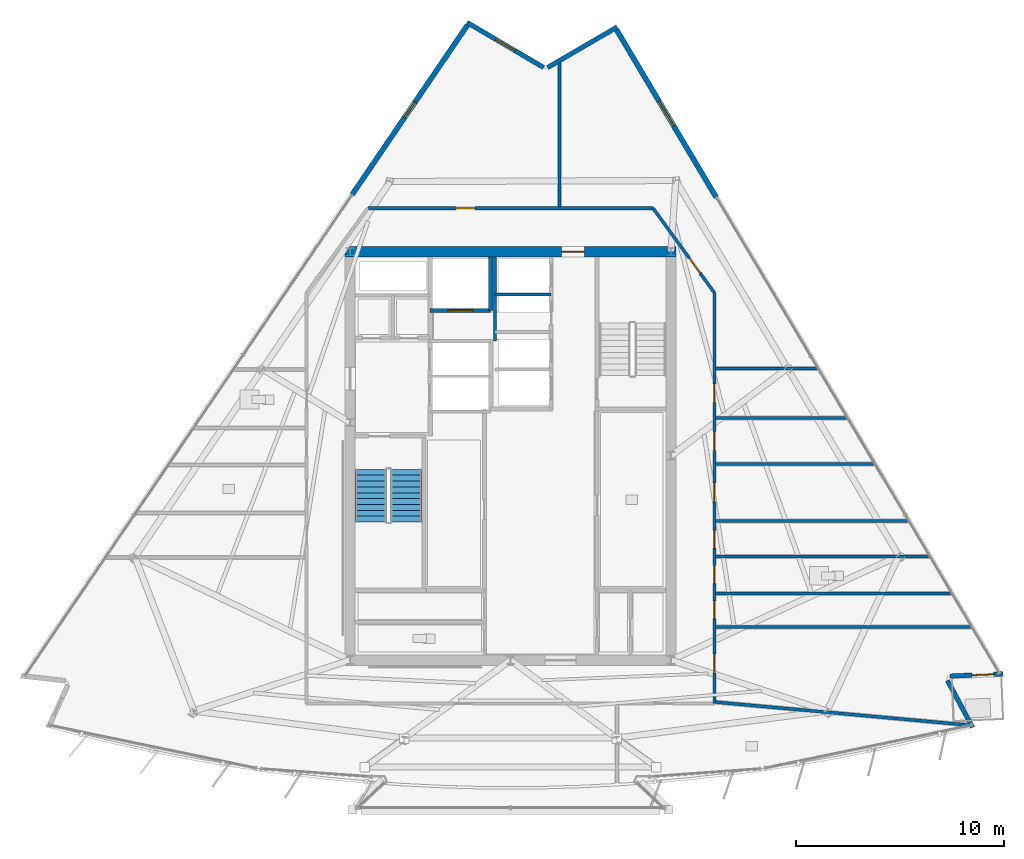
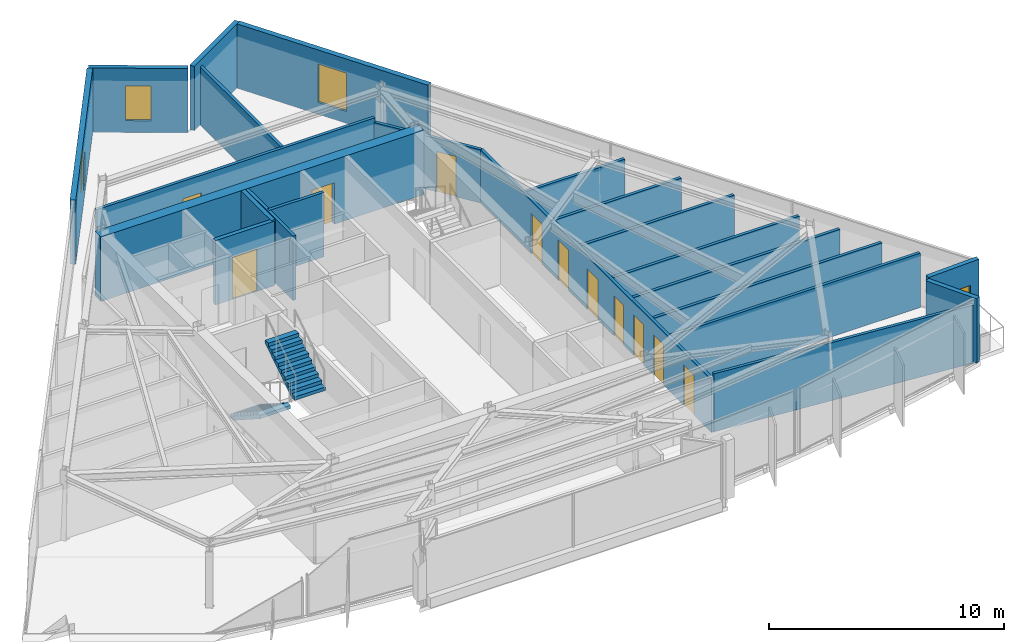
# One storey, part 8 of 13: 23 walls, 12 doors, 3 windows, 2 stair flights, 15 openings, 1 element without a shape of its own.
"""IFC4 building model written with IfcOpenShell, lengths in metres."""

from ifc_helpers import new_model, si_unit, direction, frame, frame_2d, origin, place, context, subcontext, project, spatial, polyline, rectangle, outline, extrude, material, layer, layer_set, type_object, element, fill, aggregate, save


model = new_model("IFC4")

# Units and contexts
model_context = context("Model", 3, precision=1e-05, world=origin(), true_north=direction((0.0, 1.0)))
body_context = subcontext(model_context, "Body", "Model", "MODEL_VIEW")
ifc_project = project(units=[si_unit("LENGTHUNIT", "METRE"), si_unit("AREAUNIT", "SQUARE_METRE"), si_unit("VOLUMEUNIT", "CUBIC_METRE"), si_unit("PLANEANGLEUNIT", "RADIAN"), si_unit("MASSUNIT", "GRAM", prefix="KILO")], contexts=[model_context])

# Site, building, storey
site_placement = place(None, origin())
site = spatial("IfcSite", under=ifc_project, at=site_placement, CompositionType="ELEMENT")
building_placement = place(site_placement, origin())
building = spatial("IfcBuilding", under=site, at=building_placement, Name="Savorim Split Tower", CompositionType="ELEMENT")
storey_placement = place(building_placement, frame((0.0, 0.0, 283.199951171875)))
storey = spatial("IfcBuildingStorey", under=building, at=storey_placement, Name="L75", CompositionType="ELEMENT", Elevation=283.199951171875)

# Wall, opening, door
ifc_material_1 = material(Name="Concrete C60/75", Category="concrete")
ifc_layer_1 = layer(ifc_material_1, 0.5)
ifc_layer_set_1 = layer_set([ifc_layer_1], Name="WAL-COR-SH500")
wall_type_1 = type_object("IfcWallType", Name="WAL-COR-SH500", PredefinedType="SHEAR", material=ifc_layer_set_1)
wall_1_placement = place(storey_placement, frame((7.949951171875, 10.199951171875, 0.0), z_axis=(0.0, 0.0, 1.0), x_axis=(-1.0, 0.0, 0.0)))
wall_1 = element("IfcWall", 1, at=wall_1_placement, inside=storey, type_object=wall_type_1, Name="L75 Offset Core North Shear Wall", PredefinedType="SHEAR", context=body_context, shape_type="SweptSolid", body=[
    extrude(rectangle(XDim=15.89990234375, YDim=0.5, at=frame_2d((7.949951171875, 0.0))), origin(), (0.0, 0.0, 1.0), 3.35009765625),
])
opening_1_placement = place(wall_1_placement, frame((4.39990234375, 0.0, 0.0)))
opening_1 = element("IfcOpeningElement", 2, at=opening_1_placement, cuts=wall_1, Name="Opening DI-03", PredefinedType="OPENING", context=body_context, shape_type="SweptSolid", body=[
    extrude(rectangle(XDim=1.10009765625, YDim=2.14990234375, at=frame_2d((0.550048828125, 1.074951171875))), frame((0.0, 0.260009765625, 0.0), z_axis=(0.0, -1.0, 0.0), x_axis=(1.0, 0.0, 0.0)), (0.0, 0.0, 1.0), 0.52001953125),
])
ifc_material_2 = material(Name="Timber Fire Door Leaf", Category="wood")
door_type_1 = type_object("IfcDoorType", Name="DOR-FIR-1100", OperationType="NOTDEFINED", PredefinedType="DOOR", material=ifc_material_2)
door_1_placement = place(opening_1_placement, origin())
door_1 = element("IfcDoor", 3, at=door_1_placement, inside=storey, type_object=door_type_1, Name="DOR-L75-COR-NLOB - L75 North Corridor Lobby Fire Door", OperationType="SINGLE_SWING_RIGHT", OverallHeight=2.14990234375, OverallWidth=1.10009765625, PredefinedType="DOOR", context=body_context, shape_type="SweptSolid", body=[
    extrude(rectangle(XDim=1.10009765625, YDim=2.14990234375, at=frame_2d((0.550048828125, 1.074951171875))), frame((0.0, 0.02490234375, 0.0), z_axis=(0.0, -1.0, 0.0), x_axis=(1.0, 0.0, 0.0)), (0.0, 0.0, 1.0), 0.050048828125),
])
fill(opening_1, door_1)

# Wall
ifc_material_3 = material(Name="Precast concrete C40/50", Category="concrete")
ifc_layer_2 = layer(ifc_material_3, 0.219970703125)
ifc_layer_set_2 = layer_set([ifc_layer_2], Name="WAL-EXT-CRN220")
wall_type_2 = type_object("IfcWallType", Name="WAL-EXT-CRN220", PredefinedType="SOLIDWALL", material=ifc_layer_set_2)
wall_2_placement = place(storey_placement, frame((20.9638671875, -10.380615234375, 0.0), z_axis=(0.0, 0.0, 1.0), x_axis=(0.472728849632, -0.881207940685, 0.0)))
element("IfcWall", 4, at=wall_2_placement, inside=storey, type_object=wall_type_2, Name="L75 Notched Corner Facade Wall SE1", PredefinedType="SOLIDWALL", context=body_context, shape_type="SweptSolid", body=[
    extrude(rectangle(XDim=2.5498046875, YDim=0.219970703125, at=frame_2d((1.27490234375, 0.0))), origin(), (0.0, 0.0, 1.0), 3.35009765625),
])

# Wall, opening, door
wall_3_placement = place(storey_placement, frame((23.630615234375, -10.058837890625, 0.0), z_axis=(0.0, 0.0, 1.0), x_axis=(-0.999098350703, -0.042455690107, 0.0)))
wall_3 = element("IfcWall", 5, at=wall_3_placement, inside=storey, type_object=wall_type_2, Name="L75 Notched Corner Facade Wall SE", PredefinedType="SOLIDWALL", context=body_context, shape_type="SweptSolid", body=[
    extrude(rectangle(XDim=2.54736328125, YDim=0.219970703125, at=frame_2d((1.273681640625, 0.0))), origin(), (0.0, 0.0, 1.0), 3.35009765625),
])
opening_2_placement = place(wall_3_placement, frame((0.44873046875, 0.0, 0.0)))
opening_2 = element("IfcOpeningElement", 6, at=opening_2_placement, cuts=wall_3, Name="Opening DB-01", PredefinedType="OPENING", context=body_context, shape_type="SweptSolid", body=[
    extrude(rectangle(XDim=1.050048828125, YDim=2.14990234375, at=frame_2d((0.52490234375, 1.074951171875))), frame((0.0, 0.119873046875, 0.0), z_axis=(0.0, -1.0, 0.0), x_axis=(1.0, 0.0, 0.0)), (0.0, 0.0, 1.0), 0.239990234375),
])
ifc_material_4 = material(Name="Charcoal Anodised Aluminium", Category="aluminium")
door_type_2 = type_object("IfcDoorType", Name="DOR-BAL-1050", OperationType="NOTDEFINED", PredefinedType="DOOR", material=ifc_material_4)
door_2_placement = place(opening_2_placement, origin())
door_2 = element("IfcDoor", 7, at=door_2_placement, inside=storey, type_object=door_type_2, Name="DOR-L75-TBAL-SE - L75 Planted Tree Balcony Door SE", OperationType="SINGLE_SWING_RIGHT", OverallHeight=2.14990234375, OverallWidth=1.050048828125, PredefinedType="DOOR", context=body_context, shape_type="SweptSolid", body=[
    extrude(rectangle(XDim=1.050048828125, YDim=2.14990234375, at=frame_2d((0.52490234375, 1.074951171875))), frame((0.0, 0.02490234375, 0.0), z_axis=(0.0, -1.0, 0.0), x_axis=(1.0, 0.0, 0.0)), (0.0, 0.0, 1.0), 0.050048828125),
])
fill(opening_2, door_2)

# Wall
wall_4_placement = place(storey_placement, frame((1.78271484375, 19.031005859375, 0.0), z_axis=(0.0, 0.0, 1.0), x_axis=(0.863972097652, 0.503539685108, 0.0)))
element("IfcWall", 8, at=wall_4_placement, inside=storey, type_object=wall_type_2, Name="L75 Notched Corner Facade Wall NE1", PredefinedType="SOLIDWALL", context=body_context, shape_type="SweptSolid", body=[
    extrude(rectangle(XDim=3.8486328125, YDim=0.219970703125, at=frame_2d((1.92431640625, 0.0))), origin(), (0.0, 0.0, 1.0), 3.35009765625),
])

# Wall, opening, window
wall_5_placement = place(storey_placement, frame((-2.073974609375, 21.186279296875, 0.0), z_axis=(0.0, 0.0, 1.0), x_axis=(0.862137800155, -0.506673872964, 0.0)))
wall_5 = element("IfcWall", 9, at=wall_5_placement, inside=storey, type_object=wall_type_2, Name="L75 Notched Corner Facade Wall N", PredefinedType="SOLIDWALL", context=body_context, shape_type="SweptSolid", body=[
    extrude(rectangle(XDim=4.252685546875, YDim=0.219970703125, at=frame_2d((2.12646484375, 0.0))), origin(), (0.0, 0.0, 1.0), 3.35009765625),
])
opening_3_placement = place(wall_5_placement, frame((1.576416015625, 0.0, 0.6201171875)))
opening_3 = element("IfcOpeningElement", 10, at=opening_3_placement, cuts=wall_5, Name="Opening WN-09", PredefinedType="OPENING", context=body_context, shape_type="SweptSolid", body=[
    extrude(rectangle(XDim=1.10009765625, YDim=1.800048828125, at=frame_2d((0.550048828125, 0.89990234375))), frame((0.0, 0.119873046875, 0.0), z_axis=(0.0, -1.0, 0.0), x_axis=(1.0, 0.0, 0.0)), (0.0, 0.0, 1.0), 0.239990234375),
])
ifc_material_5 = material(Name="Low-E Operable Double Glazing", Category="glass")
window_type_1 = type_object("IfcWindowType", Name="WIN-TWR-1100x1800", PartitioningType="SINGLE_PANEL", PredefinedType="WINDOW", material=ifc_material_5)
window_1_placement = place(opening_3_placement, origin())
window_1 = element("IfcWindow", 11, at=window_1_placement, inside=storey, type_object=window_type_1, Name="L75 Operable Corner Window N", OverallHeight=1.800048828125, OverallWidth=1.10009765625, PartitioningType="SINGLE_PANEL", PredefinedType="WINDOW", context=body_context, shape_type="SweptSolid", body=[
    extrude(rectangle(XDim=1.10009765625, YDim=1.800048828125, at=frame_2d((0.550048828125, 0.89990234375))), frame((0.0, 0.030029296875, 0.0), z_axis=(0.0, -1.0, 0.0), x_axis=(1.0, 0.0, 0.0)), (0.0, 0.0, 1.0), 0.06005859375),
])
fill(opening_3, window_1)

ifc_layer_3 = layer(ifc_material_3, 0.25)
ifc_layer_set_3 = layer_set([ifc_layer_3], Name="WAL-EXT-SPN250")
wall_type_3 = type_object("IfcWallType", Name="WAL-EXT-SPN250", PredefinedType="SOLIDWALL", material=ifc_layer_set_3)
wall_6_placement = place(storey_placement, frame((5.09130859375, 20.84228515625, 0.0), z_axis=(0.0, 0.0, 1.0), x_axis=(0.511095217069, -0.859524100354, 0.0)))
wall_6 = element("IfcWall", 12, at=wall_6_placement, inside=storey, type_object=wall_type_3, Name="L75 East Operable Window Pier", PredefinedType="SOLIDWALL", context=body_context, shape_type="SweptSolid", body=[
    extrude(rectangle(XDim=9.344482421875, YDim=0.25, at=frame_2d((4.67236328125, 0.0))), origin(), (0.0, 0.0, 1.0), 3.35009765625),
])
opening_4_placement = place(wall_6_placement, frame((3.97216796875, 0.0, 0.6201171875)))
opening_4 = element("IfcOpeningElement", 13, at=opening_4_placement, cuts=wall_6, Name="Opening WN-07", PredefinedType="OPENING", context=body_context, shape_type="SweptSolid", body=[
    extrude(rectangle(XDim=1.39990234375, YDim=2.0, at=frame_2d((0.699951171875, 1.0))), frame((0.0, 0.135009765625, 0.0), z_axis=(0.0, -1.0, 0.0), x_axis=(1.0, 0.0, 0.0)), (0.0, 0.0, 1.0), 0.27001953125),
])
window_type_2 = type_object("IfcWindowType", Name="WIN-TWR-1400x2000", PartitioningType="SINGLE_PANEL", PredefinedType="WINDOW", material=ifc_material_5)
window_2_placement = place(opening_4_placement, origin())
window_2 = element("IfcWindow", 14, at=window_2_placement, inside=storey, type_object=window_type_2, Name="L75 East Operable Ventilation Window", OverallHeight=2.0, OverallWidth=1.39990234375, PartitioningType="SINGLE_PANEL", PredefinedType="WINDOW", context=body_context, shape_type="SweptSolid", body=[
    extrude(rectangle(XDim=1.39990234375, YDim=2.0, at=frame_2d((0.699951171875, 1.0))), frame((0.0, 0.030029296875, 0.0), z_axis=(0.0, -1.0, 0.0), x_axis=(1.0, 0.0, 0.0)), (0.0, 0.0, 1.0), 0.06005859375),
])
fill(opening_4, window_2)

wall_7_placement = place(storey_placement, frame((-7.59326171875, 12.944580078125, 0.0), z_axis=(0.0, 0.0, 1.0), x_axis=(0.562476003565, 0.826813609838, 0.0)))
wall_7 = element("IfcWall", 15, at=wall_7_placement, inside=storey, type_object=wall_type_3, Name="L75 West Operable Window Pier", PredefinedType="SOLIDWALL", context=body_context, shape_type="SweptSolid", body=[
    extrude(rectangle(XDim=9.81591796875, YDim=0.25, at=frame_2d((4.907958984375, 0.0))), origin(), (0.0, 0.0, 1.0), 3.35009765625),
])
opening_5_placement = place(wall_7_placement, frame((4.4580078125, 0.0, 0.6201171875)))
opening_5 = element("IfcOpeningElement", 16, at=opening_5_placement, cuts=wall_7, Name="Opening WN-10", PredefinedType="OPENING", context=body_context, shape_type="SweptSolid", body=[
    extrude(rectangle(XDim=0.89990234375, YDim=1.60009765625, at=frame_2d((0.449951171875, 0.800048828125))), frame((0.0, 0.135009765625, 0.0), z_axis=(0.0, -1.0, 0.0), x_axis=(1.0, 0.0, 0.0)), (0.0, 0.0, 1.0), 0.27001953125),
])
window_type_3 = type_object("IfcWindowType", Name="WIN-TWR-900x1600", PartitioningType="SINGLE_PANEL", PredefinedType="WINDOW", material=ifc_material_5)
window_3_placement = place(opening_5_placement, origin())
window_3 = element("IfcWindow", 17, at=window_3_placement, inside=storey, type_object=window_type_3, Name="L75 West Operable Ventilation Window", OverallHeight=1.60009765625, OverallWidth=0.89990234375, PartitioningType="SINGLE_PANEL", PredefinedType="WINDOW", context=body_context, shape_type="SweptSolid", body=[
    extrude(rectangle(XDim=0.89990234375, YDim=1.60009765625, at=frame_2d((0.449951171875, 0.800048828125))), frame((0.0, 0.030029296875, 0.0), z_axis=(0.0, -1.0, 0.0), x_axis=(1.0, 0.0, 0.0)), (0.0, 0.0, 1.0), 0.06005859375),
])
fill(opening_5, window_3)

# Wall, opening, door
ifc_material_6 = material(Name="Concrete C50/60", Category="concrete")
ifc_layer_4 = layer(ifc_material_6, 0.199951171875)
ifc_layer_set_4 = layer_set([ifc_layer_4], Name="WAL-INT-RC200")
wall_type_4 = type_object("IfcWallType", Name="WAL-INT-RC200", PredefinedType="SOLIDWALL", material=ifc_layer_set_4)
wall_8_placement = place(storey_placement, frame((-3.85009765625, 7.3798828125, 0.0), z_axis=(0.0, 0.0, 1.0), x_axis=(1.0, 0.0, 0.0)))
wall_8 = element("IfcWall", 18, at=wall_8_placement, inside=storey, type_object=wall_type_4, Name="L75 Partition W-L75-SVLS", PredefinedType="SOLIDWALL", context=body_context, shape_type="SweptSolid", body=[
    extrude(rectangle(XDim=2.900146484375, YDim=0.199951171875, at=frame_2d((1.4501953125, 0.0))), origin(), (0.0, 0.0, 1.0), 3.35009765625),
])
opening_6_placement = place(wall_8_placement, frame((0.85009765625, 0.0, 0.0)))
opening_6 = element("IfcOpeningElement", 19, at=opening_6_placement, cuts=wall_8, Name="Opening LD-SV", PredefinedType="OPENING", context=body_context, shape_type="SweptSolid", body=[
    extrude(rectangle(XDim=1.199951171875, YDim=2.199951171875, at=frame_2d((0.60009765625, 1.10009765625))), frame((0.0, 0.10986328125, 0.0), z_axis=(0.0, -1.0, 0.0), x_axis=(1.0, 0.0, 0.0)), (0.0, 0.0, 1.0), 0.219970703125),
])
door_type_3 = type_object("IfcDoorType", Name="DOR-SLD-SV1200", OperationType="NOTDEFINED", PredefinedType="DOOR", material=ifc_material_4)
door_3_placement = place(opening_6_placement, origin())
door_3 = element("IfcDoor", 20, at=door_3_placement, inside=storey, type_object=door_type_3, Name="DR-L75-LD-SVL1 - L75 Service Lift SVL-1 Sliding Landing Door", OperationType="DOUBLE_DOOR_SLIDING", OverallHeight=2.199951171875, OverallWidth=1.199951171875, PredefinedType="DOOR", context=body_context, shape_type="SweptSolid", body=[
    extrude(rectangle(XDim=1.199951171875, YDim=2.199951171875, at=frame_2d((0.60009765625, 1.10009765625))), frame((0.0, 0.02490234375, 0.0), z_axis=(0.0, -1.0, 0.0), x_axis=(1.0, 0.0, 0.0)), (0.0, 0.0, 1.0), 0.050048828125),
])
fill(opening_6, door_3)

# Walls
wall_9_placement = place(storey_placement, frame((-0.949951171875, 7.3798828125, 0.0), z_axis=(0.0, 0.0, 1.0), x_axis=(0.0, 1.0, 0.0)))
element("IfcWall", 21, at=wall_9_placement, inside=storey, type_object=wall_type_4, Name="L75 Partition W-L75-SVLE", PredefinedType="SOLIDWALL", context=body_context, shape_type="SweptSolid", body=[
    extrude(rectangle(XDim=2.565185546875, YDim=0.199951171875, at=frame_2d((1.28271484375, 0.0))), origin(), (0.0, 0.0, 1.0), 3.35009765625),
])
ifc_material_7 = material(Name="Acoustic Gypsum Partition Board")
ifc_layer_5 = layer(ifc_material_7, 0.14990234375)
ifc_layer_set_5 = layer_set([ifc_layer_5], Name="WAL-PAR-150")
wall_type_5 = type_object("IfcWallType", Name="WAL-PAR-150", PredefinedType="PARTITIONING", material=ifc_layer_set_5)
wall_10_placement = place(storey_placement, frame((-0.75, 5.919921875, 0.0), z_axis=(0.0, 0.0, 1.0), x_axis=(0.0, 1.0, 0.0)))
element("IfcWall", 22, at=wall_10_placement, inside=storey, type_object=wall_type_5, Name="L75 Partition W-L75-B3WEST", PredefinedType="PARTITIONING", context=body_context, shape_type="SweptSolid", body=[
    extrude(rectangle(XDim=4.025146484375, YDim=0.14990234375, at=frame_2d((2.0126953125, 0.0))), origin(), (0.0, 0.0, 1.0), 3.35009765625),
])
wall_11_placement = place(storey_placement, frame((-0.75, 8.14990234375, 0.0), z_axis=(0.0, 0.0, 1.0), x_axis=(1.0, 0.0, 0.0)))
element("IfcWall", 23, at=wall_11_placement, inside=storey, type_object=wall_type_5, Name="L75 Partition W-L75-B3DIV3", PredefinedType="PARTITIONING", context=body_context, shape_type="SweptSolid", body=[
    extrude(rectangle(XDim=2.699951171875, YDim=0.14990234375, at=frame_2d((1.35009765625, 0.0))), origin(), (0.0, 0.0, 1.0), 3.35009765625),
])

# Wall, opening, door
wall_12_placement = place(storey_placement, frame((-6.8408203125, 12.280029296875, 0.0), z_axis=(0.0, 0.0, 1.0), x_axis=(1.0, 0.0, 0.0)))
wall_12 = element("IfcWall", 24, at=wall_12_placement, inside=storey, type_object=wall_type_5, Name="L75 Partition W-L75-COR-03", PredefinedType="PARTITIONING", context=body_context, shape_type="SweptSolid", body=[
    extrude(rectangle(XDim=13.681640625, YDim=0.14990234375, at=frame_2d((6.8408203125, 0.0))), origin(), (0.0, 0.0, 1.0), 3.01513671875),
])
opening_7_placement = place(wall_12_placement, frame((4.237548828125, 0.0, 0.0)))
opening_7 = element("IfcOpeningElement", 25, at=opening_7_placement, cuts=wall_12, Name="Opening DI-06", PredefinedType="OPENING", context=body_context, shape_type="SweptSolid", body=[
    extrude(rectangle(XDim=0.89990234375, YDim=2.10009765625, at=frame_2d((0.449951171875, 1.050048828125))), frame((0.0, 0.0849609375, 0.0), z_axis=(0.0, -1.0, 0.0), x_axis=(1.0, 0.0, 0.0)), (0.0, 0.0, 1.0), 0.169921875),
])
door_type_4 = type_object("IfcDoorType", Name="DOR-FIR-900", OperationType="NOTDEFINED", PredefinedType="DOOR", material=ifc_material_2)
door_4_placement = place(opening_7_placement, origin())
door_4 = element("IfcDoor", 26, at=door_4_placement, inside=storey, type_object=door_type_4, Name="DR-L75-RM13 - L75 Maker Workshop Entry Door", OperationType="SINGLE_SWING_RIGHT", OverallHeight=2.10009765625, OverallWidth=0.89990234375, PredefinedType="DOOR", context=body_context, shape_type="SweptSolid", body=[
    extrude(rectangle(XDim=0.89990234375, YDim=2.10009765625, at=frame_2d((0.449951171875, 1.050048828125))), frame((0.0, 0.02490234375, 0.0), z_axis=(0.0, -1.0, 0.0), x_axis=(1.0, 0.0, 0.0)), (0.0, 0.0, 1.0), 0.050048828125),
])
fill(opening_7, door_4)

wall_13_placement = place(storey_placement, frame((6.8408203125, 12.280029296875, 0.0), z_axis=(0.0, 0.0, 1.0), x_axis=(0.586956386413, -0.809618552436, 0.0)))
wall_13 = element("IfcWall", 27, at=wall_13_placement, inside=storey, type_object=wall_type_5, Name="L75 Partition W-L75-COR-04", PredefinedType="PARTITIONING", context=body_context, shape_type="SweptSolid", body=[
    extrude(rectangle(XDim=5.007568359375, YDim=0.14990234375, at=frame_2d((2.50390625, 0.0))), origin(), (0.0, 0.0, 1.0), 2.775146484375),
])
opening_8_placement = place(wall_13_placement, frame((2.95361328125, 0.0, 0.0)))
opening_8 = element("IfcOpeningElement", 28, at=opening_8_placement, cuts=wall_13, Name="Opening DI-06", PredefinedType="OPENING", context=body_context, shape_type="SweptSolid", body=[
    extrude(rectangle(XDim=0.89990234375, YDim=2.10009765625, at=frame_2d((0.449951171875, 1.050048828125))), frame((0.0, 0.0849609375, 0.0), z_axis=(0.0, -1.0, 0.0), x_axis=(1.0, 0.0, 0.0)), (0.0, 0.0, 1.0), 0.169921875),
])
door_5_placement = place(opening_8_placement, origin())
door_5 = element("IfcDoor", 29, at=door_5_placement, inside=storey, type_object=door_type_4, Name="DR-L75-RM12 - L75 Maker Workshop Entry Door", OperationType="SINGLE_SWING_LEFT", OverallHeight=2.10009765625, OverallWidth=0.89990234375, PredefinedType="DOOR", context=body_context, shape_type="SweptSolid", body=[
    extrude(rectangle(XDim=0.89990234375, YDim=2.10009765625, at=frame_2d((0.449951171875, 1.050048828125))), frame((0.0, 0.02490234375, 0.0), z_axis=(0.0, -1.0, 0.0), x_axis=(1.0, 0.0, 0.0)), (0.0, 0.0, 1.0), 0.050048828125),
])
fill(opening_8, door_5)

# Wall, openings, doors
wall_14_placement = place(storey_placement, frame((9.780029296875, 8.225830078125, 0.0), z_axis=(0.0, 0.0, 1.0), x_axis=(0.0, -1.0, 0.0)))
wall_14 = element("IfcWall", 30, at=wall_14_placement, inside=storey, type_object=wall_type_5, Name="L75 Partition W-L75-COR-05", PredefinedType="PARTITIONING", context=body_context, shape_type="SweptSolid", body=[
    extrude(rectangle(XDim=19.705810546875, YDim=0.14990234375, at=frame_2d((9.85302734375, 0.0))), origin(), (0.0, 0.0, 1.0), 2.775146484375),
])
opening_9_placement = place(wall_14_placement, frame((17.33251953125, 0.0, 0.0)))
opening_9 = element("IfcOpeningElement", 31, at=opening_9_placement, cuts=wall_14, Name="Opening DI-06", PredefinedType="OPENING", context=body_context, shape_type="SweptSolid", body=[
    extrude(rectangle(XDim=0.89990234375, YDim=2.10009765625, at=frame_2d((0.449951171875, 1.050048828125))), frame((0.0, 0.0849609375, 0.0), z_axis=(0.0, -1.0, 0.0), x_axis=(1.0, 0.0, 0.0)), (0.0, 0.0, 1.0), 0.169921875),
])
opening_10_placement = place(wall_14_placement, frame((14.779541015625, 0.0, 0.0)))
opening_10 = element("IfcOpeningElement", 32, at=opening_10_placement, cuts=wall_14, Name="Opening DI-13", PredefinedType="OPENING", context=body_context, shape_type="SweptSolid", body=[
    extrude(rectangle(XDim=0.85009765625, YDim=2.10009765625, at=frame_2d((0.425048828125, 1.050048828125))), frame((0.0, 0.0849609375, 0.0), z_axis=(0.0, -1.0, 0.0), x_axis=(1.0, 0.0, 0.0)), (0.0, 0.0, 1.0), 0.169921875),
])
opening_11_placement = place(wall_14_placement, frame((13.0908203125, 0.0, 0.0)))
opening_11 = element("IfcOpeningElement", 33, at=opening_11_placement, cuts=wall_14, Name="Opening DI-13", PredefinedType="OPENING", context=body_context, shape_type="SweptSolid", body=[
    extrude(rectangle(XDim=0.85009765625, YDim=2.10009765625, at=frame_2d((0.425048828125, 1.050048828125))), frame((0.0, 0.0849609375, 0.0), z_axis=(0.0, -1.0, 0.0), x_axis=(1.0, 0.0, 0.0)), (0.0, 0.0, 1.0), 0.169921875),
])
opening_12_placement = place(wall_14_placement, frame((11.397216796875, 0.0, 0.0)))
opening_12 = element("IfcOpeningElement", 34, at=opening_12_placement, cuts=wall_14, Name="Opening DI-13", PredefinedType="OPENING", context=body_context, shape_type="SweptSolid", body=[
    extrude(rectangle(XDim=0.85009765625, YDim=2.10009765625, at=frame_2d((0.425048828125, 1.050048828125))), frame((0.0, 0.0849609375, 0.0), z_axis=(0.0, -1.0, 0.0), x_axis=(1.0, 0.0, 0.0)), (0.0, 0.0, 1.0), 0.169921875),
])
opening_13_placement = place(wall_14_placement, frame((9.1376953125, 0.0, 0.0)))
opening_13 = element("IfcOpeningElement", 35, at=opening_13_placement, cuts=wall_14, Name="Opening DI-06", PredefinedType="OPENING", context=body_context, shape_type="SweptSolid", body=[
    extrude(rectangle(XDim=0.89990234375, YDim=2.10009765625, at=frame_2d((0.449951171875, 1.050048828125))), frame((0.0, 0.0849609375, 0.0), z_axis=(0.0, -1.0, 0.0), x_axis=(1.0, 0.0, 0.0)), (0.0, 0.0, 1.0), 0.169921875),
])
opening_14_placement = place(wall_14_placement, frame((6.661376953125, 0.0, 0.0)))
opening_14 = element("IfcOpeningElement", 36, at=opening_14_placement, cuts=wall_14, Name="Opening DI-06", PredefinedType="OPENING", context=body_context, shape_type="SweptSolid", body=[
    extrude(rectangle(XDim=0.89990234375, YDim=2.10009765625, at=frame_2d((0.449951171875, 1.050048828125))), frame((0.0, 0.0849609375, 0.0), z_axis=(0.0, -1.0, 0.0), x_axis=(1.0, 0.0, 0.0)), (0.0, 0.0, 1.0), 0.169921875),
])
opening_15_placement = place(wall_14_placement, frame((4.36865234375, 0.0, 0.0)))
opening_15 = element("IfcOpeningElement", 37, at=opening_15_placement, cuts=wall_14, Name="Opening DI-06", PredefinedType="OPENING", context=body_context, shape_type="SweptSolid", body=[
    extrude(rectangle(XDim=0.89990234375, YDim=2.10009765625, at=frame_2d((0.449951171875, 1.050048828125))), frame((0.0, 0.0849609375, 0.0), z_axis=(0.0, -1.0, 0.0), x_axis=(1.0, 0.0, 0.0)), (0.0, 0.0, 1.0), 0.169921875),
])
door_type_5 = type_object("IfcDoorType", Name="DOR-FIR-850", OperationType="NOTDEFINED", PredefinedType="DOOR", material=ifc_material_2)
door_6_placement = place(opening_10_placement, origin())
door_6 = element("IfcDoor", 38, at=door_6_placement, inside=storey, type_object=door_type_5, Name="DR-L75-RM06 - L75 Co-Living Bedroom Entry Door", OperationType="SINGLE_SWING_LEFT", OverallHeight=2.10009765625, OverallWidth=0.85009765625, PredefinedType="DOOR", context=body_context, shape_type="SweptSolid", body=[
    extrude(rectangle(XDim=0.85009765625, YDim=2.10009765625, at=frame_2d((0.425048828125, 1.050048828125))), frame((0.0, 0.02490234375, 0.0), z_axis=(0.0, -1.0, 0.0), x_axis=(1.0, 0.0, 0.0)), (0.0, 0.0, 1.0), 0.050048828125),
])
fill(opening_10, door_6)
door_7_placement = place(opening_11_placement, origin())
door_7 = element("IfcDoor", 39, at=door_7_placement, inside=storey, type_object=door_type_5, Name="DR-L75-RM07 - L75 Shared Bathroom Entry Door", OperationType="SINGLE_SWING_RIGHT", OverallHeight=2.10009765625, OverallWidth=0.85009765625, PredefinedType="DOOR", context=body_context, shape_type="SweptSolid", body=[
    extrude(rectangle(XDim=0.85009765625, YDim=2.10009765625, at=frame_2d((0.425048828125, 1.050048828125))), frame((0.0, 0.02490234375, 0.0), z_axis=(0.0, -1.0, 0.0), x_axis=(1.0, 0.0, 0.0)), (0.0, 0.0, 1.0), 0.050048828125),
])
fill(opening_11, door_7)
door_8_placement = place(opening_12_placement, origin())
door_8 = element("IfcDoor", 40, at=door_8_placement, inside=storey, type_object=door_type_5, Name="DR-L75-RM08 - L75 Maker Workshop Entry Door", OperationType="SINGLE_SWING_LEFT", OverallHeight=2.10009765625, OverallWidth=0.85009765625, PredefinedType="DOOR", context=body_context, shape_type="SweptSolid", body=[
    extrude(rectangle(XDim=0.85009765625, YDim=2.10009765625, at=frame_2d((0.425048828125, 1.050048828125))), frame((0.0, 0.02490234375, 0.0), z_axis=(0.0, -1.0, 0.0), x_axis=(1.0, 0.0, 0.0)), (0.0, 0.0, 1.0), 0.050048828125),
])
fill(opening_12, door_8)
door_9_placement = place(opening_9_placement, origin())
door_9 = element("IfcDoor", 41, at=door_9_placement, inside=storey, type_object=door_type_4, Name="DR-L75-RM05 - L75 Maker Workshop Entry Door", OperationType="SINGLE_SWING_RIGHT", OverallHeight=2.10009765625, OverallWidth=0.89990234375, PredefinedType="DOOR", context=body_context, shape_type="SweptSolid", body=[
    extrude(rectangle(XDim=0.89990234375, YDim=2.10009765625, at=frame_2d((0.449951171875, 1.050048828125))), frame((0.0, 0.02490234375, 0.0), z_axis=(0.0, -1.0, 0.0), x_axis=(1.0, 0.0, 0.0)), (0.0, 0.0, 1.0), 0.050048828125),
])
fill(opening_9, door_9)
door_10_placement = place(opening_13_placement, origin())
door_10 = element("IfcDoor", 42, at=door_10_placement, inside=storey, type_object=door_type_4, Name="DR-L75-RM09 - L75 Quiet Study Room Entry Door", OperationType="SINGLE_SWING_RIGHT", OverallHeight=2.10009765625, OverallWidth=0.89990234375, PredefinedType="DOOR", context=body_context, shape_type="SweptSolid", body=[
    extrude(rectangle(XDim=0.89990234375, YDim=2.10009765625, at=frame_2d((0.449951171875, 1.050048828125))), frame((0.0, 0.02490234375, 0.0), z_axis=(0.0, -1.0, 0.0), x_axis=(1.0, 0.0, 0.0)), (0.0, 0.0, 1.0), 0.050048828125),
])
fill(opening_13, door_10)
door_11_placement = place(opening_14_placement, origin())
door_11 = element("IfcDoor", 43, at=door_11_placement, inside=storey, type_object=door_type_4, Name="DR-L75-RM10 - L75 Maker Workshop Entry Door", OperationType="SINGLE_SWING_LEFT", OverallHeight=2.10009765625, OverallWidth=0.89990234375, PredefinedType="DOOR", context=body_context, shape_type="SweptSolid", body=[
    extrude(rectangle(XDim=0.89990234375, YDim=2.10009765625, at=frame_2d((0.449951171875, 1.050048828125))), frame((0.0, 0.02490234375, 0.0), z_axis=(0.0, -1.0, 0.0), x_axis=(1.0, 0.0, 0.0)), (0.0, 0.0, 1.0), 0.050048828125),
])
fill(opening_14, door_11)
door_12_placement = place(opening_15_placement, origin())
door_12 = element("IfcDoor", 44, at=door_12_placement, inside=storey, type_object=door_type_4, Name="DR-L75-RM11 - L75 Maker Workshop Entry Door", OperationType="SINGLE_SWING_RIGHT", OverallHeight=2.10009765625, OverallWidth=0.89990234375, PredefinedType="DOOR", context=body_context, shape_type="SweptSolid", body=[
    extrude(rectangle(XDim=0.89990234375, YDim=2.10009765625, at=frame_2d((0.449951171875, 1.050048828125))), frame((0.0, 0.02490234375, 0.0), z_axis=(0.0, -1.0, 0.0), x_axis=(1.0, 0.0, 0.0)), (0.0, 0.0, 1.0), 0.050048828125),
])
fill(opening_15, door_12)

# Walls
wall_15_placement = place(storey_placement, frame((9.839111328125, -11.413818359375, 0.0), z_axis=(0.0, 0.0, 1.0), x_axis=(0.995906502278, -0.09038937283, 0.0)))
element("IfcWall", 45, at=wall_15_placement, inside=storey, type_object=wall_type_5, Name="L75 Partition W-L75-PRAD04", PredefinedType="PARTITIONING", context=body_context, shape_type="SweptSolid", body=[
    extrude(rectangle(XDim=12.181396484375, YDim=0.14990234375, at=frame_2d((6.0908203125, 0.0))), origin(), (0.0, 0.0, 1.0), 3.01513671875),
])
wall_16_placement = place(storey_placement, frame((9.840087890625, -4.43408203125, 0.0), z_axis=(0.0, 0.0, 1.0), x_axis=(1.0, 0.0, 0.0)))
element("IfcWall", 46, at=wall_16_placement, inside=storey, type_object=wall_type_5, Name="L75 Partition W-L75-PRAD05", PredefinedType="PARTITIONING", context=body_context, shape_type="SweptSolid", body=[
    extrude(rectangle(XDim=10.222900390625, YDim=0.14990234375, at=frame_2d((5.111328125, 0.0))), origin(), (0.0, 0.0, 1.0), 2.72509765625),
])
wall_17_placement = place(storey_placement, frame((9.840087890625, 4.590087890625, 0.0), z_axis=(0.0, 0.0, 1.0), x_axis=(1.0, 0.0, 0.0)))
element("IfcWall", 47, at=wall_17_placement, inside=storey, type_object=wall_type_5, Name="L75 Partition W-L75-PRAD06", PredefinedType="PARTITIONING", context=body_context, shape_type="SweptSolid", body=[
    extrude(rectangle(XDim=4.85693359375, YDim=0.14990234375, at=frame_2d((2.428466796875, 0.0))), origin(), (0.0, 0.0, 1.0), 2.775146484375),
])
wall_18_placement = place(storey_placement, frame((9.840087890625, -7.811279296875, 0.0), z_axis=(0.0, 0.0, 1.0), x_axis=(1.0, 0.0, 0.0)))
element("IfcWall", 48, at=wall_18_placement, inside=storey, type_object=wall_type_5, Name="L75 Partition W-L75-SUB02", PredefinedType="PARTITIONING", context=body_context, shape_type="SweptSolid", body=[
    extrude(rectangle(XDim=12.231201171875, YDim=0.14990234375, at=frame_2d((6.11572265625, 0.0))), origin(), (0.0, 0.0, 1.0), 2.824951171875),
])
wall_19_placement = place(storey_placement, frame((9.840087890625, 0.0048828125, 0.0), z_axis=(0.0, 0.0, 1.0), x_axis=(1.0, 0.0, 0.0)))
element("IfcWall", 49, at=wall_19_placement, inside=storey, type_object=wall_type_5, Name="L75 Partition W-L75-SUB03", PredefinedType="PARTITIONING", context=body_context, shape_type="SweptSolid", body=[
    extrude(rectangle(XDim=7.58349609375, YDim=0.14990234375, at=frame_2d((3.791748046875, 0.0))), origin(), (0.0, 0.0, 1.0), 2.72509765625),
])
wall_20_placement = place(storey_placement, frame((9.840087890625, -6.19580078125, 0.0), z_axis=(0.0, 0.0, 1.0), x_axis=(1.0, 0.0, 0.0)))
element("IfcWall", 50, at=wall_20_placement, inside=storey, type_object=wall_type_5, Name="L75 Partition W-L75-SUB05", PredefinedType="PARTITIONING", context=body_context, shape_type="SweptSolid", body=[
    extrude(rectangle(XDim=11.2705078125, YDim=0.14990234375, at=frame_2d((5.63525390625, 0.0))), origin(), (0.0, 0.0, 1.0), 2.72509765625),
])
wall_21_placement = place(storey_placement, frame((9.840087890625, -2.728759765625, 0.0), z_axis=(0.0, 0.0, 1.0), x_axis=(1.0, 0.0, 0.0)))
element("IfcWall", 51, at=wall_21_placement, inside=storey, type_object=wall_type_5, Name="L75 Partition W-L75-SUB06", PredefinedType="PARTITIONING", context=body_context, shape_type="SweptSolid", body=[
    extrude(rectangle(XDim=9.208984375, YDim=0.14990234375, at=frame_2d((4.6044921875, 0.0))), origin(), (0.0, 0.0, 1.0), 2.72509765625),
])
wall_22_placement = place(storey_placement, frame((9.840087890625, 2.224365234375, 0.0), z_axis=(0.0, 0.0, 1.0), x_axis=(1.0, 0.0, 0.0)))
element("IfcWall", 52, at=wall_22_placement, inside=storey, type_object=wall_type_5, Name="L75 Partition W-L75-SUB07", PredefinedType="PARTITIONING", context=body_context, shape_type="SweptSolid", body=[
    extrude(rectangle(XDim=6.263671875, YDim=0.14990234375, at=frame_2d((3.1318359375, 0.0))), origin(), (0.0, 0.0, 1.0), 2.72509765625),
])
wall_23_placement = place(storey_placement, frame((2.356201171875, 12.340087890625, 0.0), z_axis=(0.0, 0.0, 1.0), x_axis=(0.0, 1.0, 0.0)))
element("IfcWall", 53, at=wall_23_placement, inside=storey, type_object=wall_type_5, Name="L75 Partition W-L75-SUB08", PredefinedType="PARTITIONING", context=body_context, shape_type="SweptSolid", body=[
    extrude(rectangle(XDim=6.96728515625, YDim=0.14990234375, at=frame_2d((3.483642578125, 0.0))), origin(), (0.0, 0.0, 1.0), 3.01513671875),
])

# Stair, stair flights
stair_type = type_object("IfcStairType", Name="STR-DOG-3600", PredefinedType="HALF_TURN_STAIR", material=ifc_material_6)
stair_placement = place(storey_placement, origin())
stair = element("IfcStair", 54, at=stair_placement, inside=storey, type_object=stair_type, Name="L75 Core Protected Exit Stair ST-1", PredefinedType="HALF_TURN_STAIR")
stair_flight_type = type_object("IfcStairFlightType", Name="SFL-DOG-3600", PredefinedType="STRAIGHT", material=ifc_material_6)
stair_flight_1_placement = place(storey_placement, frame((-6.699951171875, -0.25, 0.0), z_axis=(0.0, 0.0, 1.0), x_axis=(0.0, -1.0, 0.0)))
stair_flight_1 = element("IfcStairFlight", 55, at=stair_flight_1_placement, type_object=stair_flight_type, Name="ST-1 flight 1", NumberOfRisers=10, NumberOfTreads=9, PredefinedType="STRAIGHT", RiserHeight=0.18, TreadLength=0.28, context=body_context, shape_type="SweptSolid", body=[
    extrude(outline(polyline([(0.0, 0.0), (0.0, 0.179931640625), (0.280029296875, 0.179931640625), (0.280029296875, 0.360107421875), (0.56005859375, 0.360107421875), (0.56005859375, 0.5400390625), (0.840087890625, 0.5400390625), (0.840087890625, 0.719970703125), (1.1201171875, 0.719970703125), (1.1201171875, 0.89990234375), (1.39990234375, 0.89990234375), (1.39990234375, 1.080078125), (1.679931640625, 1.080078125), (1.679931640625, 1.260009765625), (1.9599609375, 1.260009765625), (1.9599609375, 1.43994140625), (2.239990234375, 1.43994140625), (2.239990234375, 1.6201171875), (2.52001953125, 1.6201171875), (2.52001953125, 1.800048828125), (2.52001953125, 1.44189453125), (0.277099609375, 0.0), (0.0, 0.0)])), frame((0.0, 0.75, 0.0), z_axis=(0.0, -1.0, 0.0), x_axis=(1.0, 0.0, 0.0)), (0.0, 0.0, 1.0), 1.5),
])
stair_flight_2_placement = place(storey_placement, frame((-5.0, -2.77001953125, 1.800048828125), z_axis=(0.0, 0.0, 1.0), x_axis=(0.0, 1.0, 0.0)))
stair_flight_2 = element("IfcStairFlight", 56, at=stair_flight_2_placement, type_object=stair_flight_type, Name="ST-1 flight 2", NumberOfRisers=10, NumberOfTreads=9, PredefinedType="STRAIGHT", RiserHeight=0.18, TreadLength=0.28, context=body_context, shape_type="SweptSolid", body=[
    extrude(outline(polyline([(0.0, 0.0), (0.0, 0.179931640625), (0.280029296875, 0.179931640625), (0.280029296875, 0.360107421875), (0.56005859375, 0.360107421875), (0.56005859375, 0.5400390625), (0.840087890625, 0.5400390625), (0.840087890625, 0.719970703125), (1.1201171875, 0.719970703125), (1.1201171875, 0.89990234375), (1.39990234375, 0.89990234375), (1.39990234375, 1.080078125), (1.679931640625, 1.080078125), (1.679931640625, 1.260009765625), (1.9599609375, 1.260009765625), (1.9599609375, 1.43994140625), (2.239990234375, 1.43994140625), (2.239990234375, 1.6201171875), (2.52001953125, 1.6201171875), (2.52001953125, 1.800048828125), (2.52001953125, 1.44189453125), (0.277099609375, 0.0), (0.0, 0.0)])), frame((0.0, 0.75, 0.0), z_axis=(0.0, -1.0, 0.0), x_axis=(1.0, 0.0, 0.0)), (0.0, 0.0, 1.0), 1.5),
])
aggregate(stair, [stair_flight_1, stair_flight_2])

save(model, "model.ifc")
